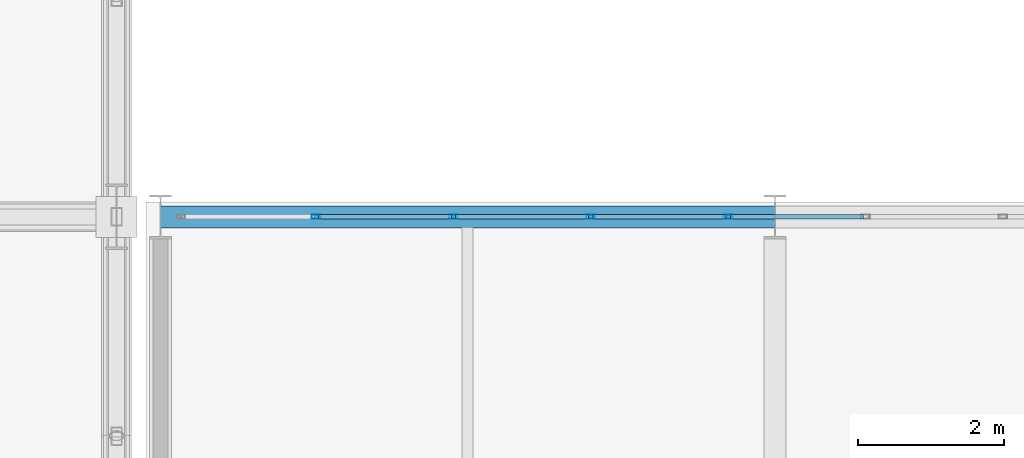
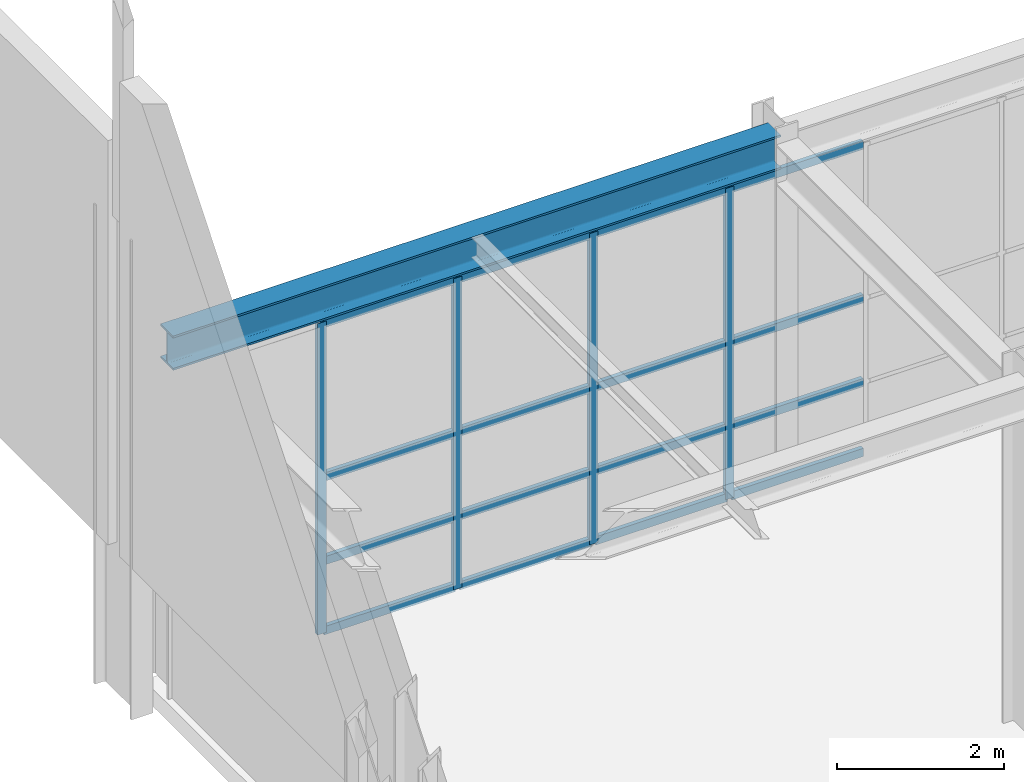
# One storey, part 171 of 239: 20 members, 1 beam, 1 element without a shape of its own.
"""IFC4 building model written with IfcOpenShell, lengths in metres."""

from ifc_helpers import new_model, si_unit, direction, frame, origin, origin_2d, place, context, subcontext, project, spatial, hollow_rectangle, i_section, extrude, material, material_profile, profile_set, type_object, element, aggregate, save


model = new_model("IFC4")

# Units and contexts
model_context = context("Model", 3, precision=1e-05, world=origin(), true_north=direction((0.0, 1.0)))
body_context = subcontext(model_context, "Body", "Model", "MODEL_VIEW")
ifc_project = project(units=[si_unit("LENGTHUNIT", "METRE"), si_unit("AREAUNIT", "SQUARE_METRE"), si_unit("VOLUMEUNIT", "CUBIC_METRE"), si_unit("PLANEANGLEUNIT", "RADIAN"), si_unit("MASSUNIT", "GRAM", prefix="KILO")], contexts=[model_context])

# Site, building, storey
site_placement = place(None, origin())
site = spatial("IfcSite", under=ifc_project, at=site_placement, CompositionType="ELEMENT")
building_placement = place(site_placement, origin())
building = spatial("IfcBuilding", under=site, at=building_placement, Name="Kaldris Quays Convention Centre", CompositionType="ELEMENT")
storey_placement = place(building_placement, frame((0.0, 0.0, 11.39990234375)))
storey = spatial("IfcBuildingStorey", under=building, at=storey_placement, Name="L02", CompositionType="ELEMENT", Elevation=11.39990234375)

# Curtain wall, members
ifc_material_1 = material(Name="Anodized aluminium AW-6060 and triple glazing", Category="aluminium")
curtain_wall_type = type_object("IfcCurtainWallType", Name="UNITISED CURTAIN WALL CW05", PredefinedType="NOTDEFINED", material=ifc_material_1)
curtain_wall_placement = place(storey_placement, origin())
curtain_wall = element("IfcCurtainWall", 1, at=curtain_wall_placement, inside=storey, type_object=curtain_wall_type, Name="L02 Unitised Curtain Wall CW05 144", PredefinedType="NOTDEFINED")
ifc_material_2 = material(Name="Anodized aluminium AW-6060", Category="aluminium")
ifc_material_profile_1 = material_profile(ifc_material_2, hollow_rectangle(XDim=0.06005859375, YDim=0.1201171875, WallThickness=0.00390625, at=origin_2d()), Name="RHS 120x60x4")
ifc_profile_set_1 = profile_set([ifc_material_profile_1], Name="Anodized aluminium AW-6060")
member_type_1 = type_object("IfcMemberType", Name="CURTAIN MULLION CWM3", PredefinedType="MULLION", material=ifc_profile_set_1)
member_1_placement = place(storey_placement, frame((148.727783203125, 116.0, 0.0), z_axis=(0.0, 0.0, 1.0), x_axis=(0.0, 1.0, 0.0)))
member_1 = element("IfcMember", 2, at=member_1_placement, type_object=member_type_1, Name="CW05 mullion 2", PredefinedType="MULLION", context=body_context, shape_type="SweptSolid", body=[
    extrude(hollow_rectangle(XDim=0.06005859375, YDim=0.1201171875, WallThickness=0.00390625, at=origin_2d()), origin(), (0.0, 0.0, 1.0), 4.548095703125),
])
member_2_placement = place(storey_placement, frame((150.60546875, 116.0, 0.0), z_axis=(0.0, 0.0, 1.0), x_axis=(0.0, 1.0, 0.0)))
member_2 = element("IfcMember", 3, at=member_2_placement, type_object=member_type_1, Name="CW05 mullion 3", PredefinedType="MULLION", context=body_context, shape_type="SweptSolid", body=[
    extrude(hollow_rectangle(XDim=0.06005859375, YDim=0.1201171875, WallThickness=0.00390625, at=origin_2d()), origin(), (0.0, 0.0, 1.0), 4.548095703125),
])
member_3_placement = place(storey_placement, frame((152.4833984375, 116.0, 0.0), z_axis=(0.0, 0.0, 1.0), x_axis=(0.0, 1.0, 0.0)))
member_3 = element("IfcMember", 4, at=member_3_placement, type_object=member_type_1, Name="CW05 mullion 4", PredefinedType="MULLION", context=body_context, shape_type="SweptSolid", body=[
    extrude(hollow_rectangle(XDim=0.06005859375, YDim=0.1201171875, WallThickness=0.00390625, at=origin_2d()), origin(), (0.0, 0.0, 1.0), 4.548095703125),
])
member_4_placement = place(storey_placement, frame((154.361083984375, 116.0, 0.0), z_axis=(0.0, 0.0, 1.0), x_axis=(0.0, 1.0, 0.0)))
member_4 = element("IfcMember", 5, at=member_4_placement, type_object=member_type_1, Name="CW05 mullion 5", PredefinedType="MULLION", context=body_context, shape_type="SweptSolid", body=[
    extrude(hollow_rectangle(XDim=0.06005859375, YDim=0.1201171875, WallThickness=0.00390625, at=origin_2d()), origin(), (0.0, 0.0, 1.0), 4.548095703125),
])
ifc_material_profile_2 = material_profile(ifc_material_2, hollow_rectangle(XDim=0.06005859375, YDim=0.1201171875, WallThickness=0.00390625, at=origin_2d()), Name="RHS 120x60x4")
ifc_profile_set_2 = profile_set([ifc_material_profile_2], Name="Anodized aluminium AW-6060")
member_type_2 = type_object("IfcMemberType", Name="CURTAIN TRANSOM CWT1", PredefinedType="USERDEFINED", material=ifc_profile_set_2)
member_5_placement = place(storey_placement, frame((148.7578125, 116.0, 0.030029296875), z_axis=(1.0, 0.0, 0.0), x_axis=(0.0, 1.0, 0.0)))
member_5 = element("IfcMember", 6, at=member_5_placement, type_object=member_type_2, Name="CW05 transom 2.1", ObjectType="TRANSOM", PredefinedType="USERDEFINED", context=body_context, shape_type="SweptSolid", body=[
    extrude(hollow_rectangle(XDim=0.06005859375, YDim=0.1201171875, WallThickness=0.00390625, at=origin_2d()), origin(), (0.0, 0.0, 1.0), 1.817626953125),
])
member_6_placement = place(storey_placement, frame((148.7578125, 116.0, 1.050048828125), z_axis=(1.0, 0.0, 0.0), x_axis=(0.0, 1.0, 0.0)))
member_6 = element("IfcMember", 7, at=member_6_placement, type_object=member_type_2, Name="CW05 transom 2.2", ObjectType="TRANSOM", PredefinedType="USERDEFINED", context=body_context, shape_type="SweptSolid", body=[
    extrude(hollow_rectangle(XDim=0.06005859375, YDim=0.1201171875, WallThickness=0.00390625, at=origin_2d()), origin(), (0.0, 0.0, 1.0), 1.817626953125),
])
member_7_placement = place(storey_placement, frame((148.7578125, 116.0, 2.274169921875), z_axis=(1.0, 0.0, 0.0), x_axis=(0.0, 1.0, 0.0)))
member_7 = element("IfcMember", 8, at=member_7_placement, type_object=member_type_2, Name="CW05 transom 2.3", ObjectType="TRANSOM", PredefinedType="USERDEFINED", context=body_context, shape_type="SweptSolid", body=[
    extrude(hollow_rectangle(XDim=0.06005859375, YDim=0.1201171875, WallThickness=0.00390625, at=origin_2d()), origin(), (0.0, 0.0, 1.0), 1.817626953125),
])
member_8_placement = place(storey_placement, frame((148.7578125, 116.0, 4.51806640625), z_axis=(1.0, 0.0, 0.0), x_axis=(0.0, 1.0, 0.0)))
member_8 = element("IfcMember", 9, at=member_8_placement, type_object=member_type_2, Name="CW05 transom 2.4", ObjectType="TRANSOM", PredefinedType="USERDEFINED", context=body_context, shape_type="SweptSolid", body=[
    extrude(hollow_rectangle(XDim=0.06005859375, YDim=0.1201171875, WallThickness=0.00390625, at=origin_2d()), origin(), (0.0, 0.0, 1.0), 1.817626953125),
])
member_9_placement = place(storey_placement, frame((150.635498046875, 116.0, 0.030029296875), z_axis=(1.0, 0.0, 0.0), x_axis=(0.0, 1.0, 0.0)))
member_9 = element("IfcMember", 10, at=member_9_placement, type_object=member_type_2, Name="CW05 transom 3.1", ObjectType="TRANSOM", PredefinedType="USERDEFINED", context=body_context, shape_type="SweptSolid", body=[
    extrude(hollow_rectangle(XDim=0.06005859375, YDim=0.1201171875, WallThickness=0.00390625, at=origin_2d()), origin(), (0.0, 0.0, 1.0), 1.81787109375),
])
member_10_placement = place(storey_placement, frame((150.635498046875, 116.0, 1.050048828125), z_axis=(1.0, 0.0, 0.0), x_axis=(0.0, 1.0, 0.0)))
member_10 = element("IfcMember", 11, at=member_10_placement, type_object=member_type_2, Name="CW05 transom 3.2", ObjectType="TRANSOM", PredefinedType="USERDEFINED", context=body_context, shape_type="SweptSolid", body=[
    extrude(hollow_rectangle(XDim=0.06005859375, YDim=0.1201171875, WallThickness=0.00390625, at=origin_2d()), origin(), (0.0, 0.0, 1.0), 1.81787109375),
])
member_11_placement = place(storey_placement, frame((150.635498046875, 116.0, 2.274169921875), z_axis=(1.0, 0.0, 0.0), x_axis=(0.0, 1.0, 0.0)))
member_11 = element("IfcMember", 12, at=member_11_placement, type_object=member_type_2, Name="CW05 transom 3.3", ObjectType="TRANSOM", PredefinedType="USERDEFINED", context=body_context, shape_type="SweptSolid", body=[
    extrude(hollow_rectangle(XDim=0.06005859375, YDim=0.1201171875, WallThickness=0.00390625, at=origin_2d()), origin(), (0.0, 0.0, 1.0), 1.81787109375),
])
member_12_placement = place(storey_placement, frame((150.635498046875, 116.0, 4.51806640625), z_axis=(1.0, 0.0, 0.0), x_axis=(0.0, 1.0, 0.0)))
member_12 = element("IfcMember", 13, at=member_12_placement, type_object=member_type_2, Name="CW05 transom 3.4", ObjectType="TRANSOM", PredefinedType="USERDEFINED", context=body_context, shape_type="SweptSolid", body=[
    extrude(hollow_rectangle(XDim=0.06005859375, YDim=0.1201171875, WallThickness=0.00390625, at=origin_2d()), origin(), (0.0, 0.0, 1.0), 1.81787109375),
])
member_13_placement = place(storey_placement, frame((152.513427734375, 116.0, 0.030029296875), z_axis=(1.0, 0.0, 0.0), x_axis=(0.0, 1.0, 0.0)))
member_13 = element("IfcMember", 14, at=member_13_placement, type_object=member_type_2, Name="CW05 transom 4.1", ObjectType="TRANSOM", PredefinedType="USERDEFINED", context=body_context, shape_type="SweptSolid", body=[
    extrude(hollow_rectangle(XDim=0.06005859375, YDim=0.1201171875, WallThickness=0.00390625, at=origin_2d()), origin(), (0.0, 0.0, 1.0), 1.817626953125),
])
member_14_placement = place(storey_placement, frame((152.513427734375, 116.0, 1.050048828125), z_axis=(1.0, 0.0, 0.0), x_axis=(0.0, 1.0, 0.0)))
member_14 = element("IfcMember", 15, at=member_14_placement, type_object=member_type_2, Name="CW05 transom 4.2", ObjectType="TRANSOM", PredefinedType="USERDEFINED", context=body_context, shape_type="SweptSolid", body=[
    extrude(hollow_rectangle(XDim=0.06005859375, YDim=0.1201171875, WallThickness=0.00390625, at=origin_2d()), origin(), (0.0, 0.0, 1.0), 1.817626953125),
])
member_15_placement = place(storey_placement, frame((152.513427734375, 116.0, 2.274169921875), z_axis=(1.0, 0.0, 0.0), x_axis=(0.0, 1.0, 0.0)))
member_15 = element("IfcMember", 16, at=member_15_placement, type_object=member_type_2, Name="CW05 transom 4.3", ObjectType="TRANSOM", PredefinedType="USERDEFINED", context=body_context, shape_type="SweptSolid", body=[
    extrude(hollow_rectangle(XDim=0.06005859375, YDim=0.1201171875, WallThickness=0.00390625, at=origin_2d()), origin(), (0.0, 0.0, 1.0), 1.817626953125),
])
member_16_placement = place(storey_placement, frame((152.513427734375, 116.0, 4.51806640625), z_axis=(1.0, 0.0, 0.0), x_axis=(0.0, 1.0, 0.0)))
member_16 = element("IfcMember", 17, at=member_16_placement, type_object=member_type_2, Name="CW05 transom 4.4", ObjectType="TRANSOM", PredefinedType="USERDEFINED", context=body_context, shape_type="SweptSolid", body=[
    extrude(hollow_rectangle(XDim=0.06005859375, YDim=0.1201171875, WallThickness=0.00390625, at=origin_2d()), origin(), (0.0, 0.0, 1.0), 1.817626953125),
])
member_17_placement = place(storey_placement, frame((154.39111328125, 116.0, 0.030029296875), z_axis=(1.0, 0.0, 0.0), x_axis=(0.0, 1.0, 0.0)))
member_17 = element("IfcMember", 18, at=member_17_placement, type_object=member_type_2, Name="CW05 transom 5.1", ObjectType="TRANSOM", PredefinedType="USERDEFINED", context=body_context, shape_type="SweptSolid", body=[
    extrude(hollow_rectangle(XDim=0.06005859375, YDim=0.1201171875, WallThickness=0.00390625, at=origin_2d()), origin(), (0.0, 0.0, 1.0), 1.81787109375),
])
member_18_placement = place(storey_placement, frame((154.39111328125, 116.0, 1.050048828125), z_axis=(1.0, 0.0, 0.0), x_axis=(0.0, 1.0, 0.0)))
member_18 = element("IfcMember", 19, at=member_18_placement, type_object=member_type_2, Name="CW05 transom 5.2", ObjectType="TRANSOM", PredefinedType="USERDEFINED", context=body_context, shape_type="SweptSolid", body=[
    extrude(hollow_rectangle(XDim=0.06005859375, YDim=0.1201171875, WallThickness=0.00390625, at=origin_2d()), origin(), (0.0, 0.0, 1.0), 1.81787109375),
])
member_19_placement = place(storey_placement, frame((154.39111328125, 116.0, 2.274169921875), z_axis=(1.0, 0.0, 0.0), x_axis=(0.0, 1.0, 0.0)))
member_19 = element("IfcMember", 20, at=member_19_placement, type_object=member_type_2, Name="CW05 transom 5.3", ObjectType="TRANSOM", PredefinedType="USERDEFINED", context=body_context, shape_type="SweptSolid", body=[
    extrude(hollow_rectangle(XDim=0.06005859375, YDim=0.1201171875, WallThickness=0.00390625, at=origin_2d()), origin(), (0.0, 0.0, 1.0), 1.81787109375),
])
member_20_placement = place(storey_placement, frame((154.39111328125, 116.0, 4.51806640625), z_axis=(1.0, 0.0, 0.0), x_axis=(0.0, 1.0, 0.0)))
member_20 = element("IfcMember", 21, at=member_20_placement, type_object=member_type_2, Name="CW05 transom 5.4", ObjectType="TRANSOM", PredefinedType="USERDEFINED", context=body_context, shape_type="SweptSolid", body=[
    extrude(hollow_rectangle(XDim=0.06005859375, YDim=0.1201171875, WallThickness=0.00390625, at=origin_2d()), origin(), (0.0, 0.0, 1.0), 1.81787109375),
])
aggregate(curtain_wall, [member_1, member_2, member_3, member_4, member_5, member_6, member_7, member_8, member_9, member_10, member_11, member_12, member_13, member_14, member_15, member_16, member_17, member_18, member_19, member_20])

# Beam
ifc_material_3 = material(Name="Steel S355J2", Category="steel")
ifc_material_profile_3 = material_profile(ifc_material_3, i_section(OverallWidth=0.300048828125, OverallDepth=0.5, WebThickness=0.014404296875, FlangeThickness=0.028076171875, FilletRadius=0.027099609375, at=origin_2d()), Name="HEB 500")
ifc_profile_set_3 = profile_set([ifc_material_profile_3], Name="Steel S355J2")
beam_type = type_object("IfcBeamType", Name="STRUCTURAL BEAM BM06", PredefinedType="BEAM", material=ifc_profile_set_3)
beam_placement = place(storey_placement, frame((146.601806640625, 116.0, 4.9130859375), z_axis=(1.0, 0.0, 0.0), x_axis=(0.0, 1.0, 0.0)))
element("IfcBeam", 22, at=beam_placement, inside=storey, type_object=beam_type, Name="L02 Girder BM06 51", PredefinedType="BEAM", context=body_context, shape_type="SweptSolid", body=[
    extrude(i_section(OverallWidth=0.300048828125, OverallDepth=0.5, WebThickness=0.014404296875, FlangeThickness=0.028076171875, FilletRadius=0.027099609375, at=origin_2d()), origin(), (0.0, 0.0, 1.0), 8.396484375),
])

save(model, "model.ifc")
